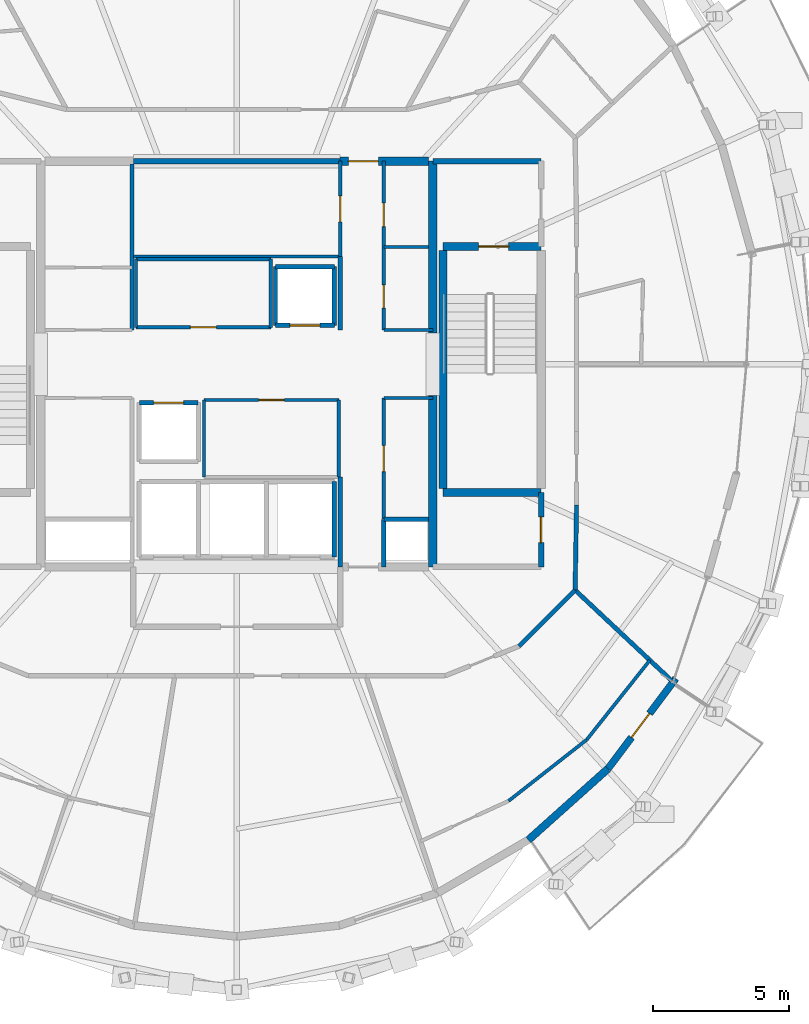
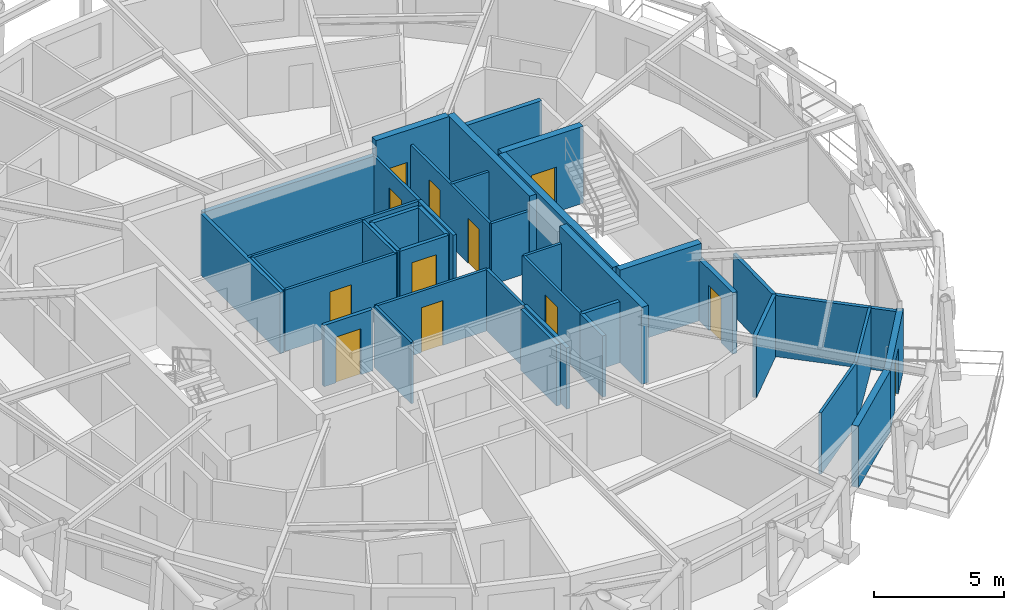
# One storey, part 9 of 12: 41 walls, 12 doors, 12 openings.
"""IFC4 building model written with IfcOpenShell, lengths in metres."""

from ifc_helpers import new_model, si_unit, direction, frame, frame_2d, origin, place, context, subcontext, project, spatial, rectangle, extrude, material, layer, layer_set, type_object, element, fill, save


model = new_model("IFC4")

# Units and contexts
model_context = context("Model", 3, precision=1e-05, world=origin(), true_north=direction((0.0, 1.0)))
body_context = subcontext(model_context, "Body", "Model", "MODEL_VIEW")
ifc_project = project(units=[si_unit("LENGTHUNIT", "METRE"), si_unit("AREAUNIT", "SQUARE_METRE"), si_unit("VOLUMEUNIT", "CUBIC_METRE"), si_unit("PLANEANGLEUNIT", "RADIAN"), si_unit("MASSUNIT", "GRAM", prefix="KILO")], contexts=[model_context])

# Site, building, storey
site_placement = place(None, origin())
site = spatial("IfcSite", under=ifc_project, at=site_placement, CompositionType="ELEMENT")
building_placement = place(site_placement, origin())
building = spatial("IfcBuilding", under=site, at=building_placement, Name="Veldorina Hangang Commons", CompositionType="ELEMENT")
storey_placement = place(building_placement, frame((0.0, 0.0, 272.39990234375)))
storey = spatial("IfcBuildingStorey", under=building, at=storey_placement, Name="L71", CompositionType="ELEMENT", Elevation=272.39990234375)

# Walls
ifc_material_1 = material(Name="Concrete C50/60", Category="concrete")
ifc_layer_1 = layer(ifc_material_1, 0.300048828125)
ifc_layer_set_1 = layer_set([ifc_layer_1], Name="Concrete C50/60")
wall_type_1 = type_object("IfcWallType", Name="CW-RC300-C50", PredefinedType="SHEAR", material=ifc_layer_set_1)
for number, where, z_axis, x_axis, name in (
    (1, (39.199951171875, 16.550048828125, 0.0), (0.0, 0.0, 1.0), (0.0, 1.0, 0.0), "L71 E south core shear wall"),
    (2, (39.199951171875, 25.14990234375, 0.0), (0.0, 0.0, 1.0), (0.0, 1.0, 0.0), "L71 E north core shear wall"),
):
    element("IfcWall", number, at=place(storey_placement, frame(where, z_axis=z_axis, x_axis=x_axis)), inside=storey, type_object=wall_type_1, Name=name, PredefinedType="SHEAR", context=body_context, shape_type="SweptSolid", body=[
        extrude(rectangle(XDim=6.300048828125, YDim=0.300048828125, at=frame_2d((3.14990234375, 0.0))), origin(), (0.0, 0.0, 1.0), 3.60009765625),
    ])

# Wall, opening, door
wall_1_placement = place(storey_placement, frame((35.800048828125, 31.449951171875, 0.0), z_axis=(0.0, 0.0, 1.0), x_axis=(1.0, 0.0, 0.0)))
wall_1 = element("IfcWall", 3, at=wall_1_placement, inside=storey, type_object=wall_type_1, Name="L71 north-east core shear wall", PredefinedType="SHEAR", context=body_context, shape_type="SweptSolid", body=[
    extrude(rectangle(XDim=3.25, YDim=0.300048828125, at=frame_2d((1.625, 0.0))), origin(), (0.0, 0.0, 1.0), 3.60009765625),
])
opening_1_placement = place(wall_1_placement, frame((0.300048828125, 0.0, 0.0)))
opening_1 = element("IfcOpeningElement", 4, at=opening_1_placement, cuts=wall_1, Name="Opening D-08", PredefinedType="OPENING", context=body_context, shape_type="SweptSolid", body=[
    extrude(rectangle(XDim=1.10009765625, YDim=2.10009765625, at=frame_2d((0.550048828125, 1.050048828125))), frame((0.0, 0.16015625, 0.0), z_axis=(0.0, -1.0, 0.0), x_axis=(1.0, 0.0, 0.0)), (0.0, 0.0, 1.0), 0.320068359375),
])
ifc_material_2 = material(Name="Steel Fire-Rated Smoke Seal", Category="steel")
door_type_1 = type_object("IfcDoorType", Name="DR-FIRE-1100", OperationType="SINGLE_SWING_RIGHT", PredefinedType="DOOR", material=ifc_material_2)
door_1_placement = place(opening_1_placement, origin())
door_1 = element("IfcDoor", 5, at=door_1_placement, inside=storey, type_object=door_type_1, Name="L71 central lift lobby north corridor door", OperationType="SINGLE_SWING_LEFT", OverallHeight=2.10009765625, OverallWidth=1.10009765625, PredefinedType="DOOR", context=body_context, shape_type="SweptSolid", body=[
    extrude(rectangle(XDim=1.10009765625, YDim=2.10009765625, at=frame_2d((0.550048828125, 1.050048828125))), frame((0.0, 0.02490234375, 0.0), z_axis=(0.0, -1.0, 0.0), x_axis=(1.0, 0.0, 0.0)), (0.0, 0.0, 1.0), 0.050048828125),
])
fill(opening_1, door_1)

ifc_material_3 = material(Name="Stone Roman Travertine", Category="masonry")
ifc_layer_2 = layer(ifc_material_3, 0.260009765625)
ifc_layer_set_2 = layer_set([ifc_layer_2], Name="Stone Roman Travertine")
wall_type_2 = type_object("IfcWallType", Name="EW-LOGGIA-260", PredefinedType="STANDARD", material=ifc_layer_set_2)
wall_2_placement = place(storey_placement, frame((45.63037109375, 9.13330078125, 0.0), z_axis=(0.0, 0.0, 1.0), x_axis=(0.601260236699, 0.799053269666, 0.0)))
wall_2 = element("IfcWall", 6, at=wall_2_placement, inside=storey, type_object=wall_type_2, Name="L71 sky-garden loggia portal wall 28", PredefinedType="STANDARD", context=body_context, shape_type="SweptSolid", body=[
    extrude(rectangle(XDim=4.151123046875, YDim=0.260009765625, at=frame_2d((2.07568359375, 0.0))), origin(), (0.0, 0.0, 1.0), 2.880126953125),
])
opening_2_placement = place(wall_2_placement, frame((1.443603515625, 0.0, 0.0)))
opening_2 = element("IfcOpeningElement", 7, at=opening_2_placement, cuts=wall_2, Name="Opening BD-1100", PredefinedType="OPENING", context=body_context, shape_type="SweptSolid", body=[
    extrude(rectangle(XDim=1.10009765625, YDim=2.14990234375, at=frame_2d((0.550048828125, 1.074951171875))), frame((0.0, 0.14013671875, 0.0), z_axis=(0.0, -1.0, 0.0), x_axis=(1.0, 0.0, 0.0)), (0.0, 0.0, 1.0), 0.280029296875),
])
ifc_material_4 = material(Name="Glass Thermal Aluminium Frame", Category="aluminium")
door_type_2 = type_object("IfcDoorType", Name="DR-EXT-BAL1100", OperationType="SINGLE_SWING_RIGHT", PredefinedType="DOOR", material=ifc_material_4)
door_2_placement = place(opening_2_placement, origin())
door_2 = element("IfcDoor", 8, at=door_2_placement, inside=storey, type_object=door_type_2, Name="L71 tree balcony glazed exterior door 28", OperationType="SINGLE_SWING_LEFT", OverallHeight=2.14990234375, OverallWidth=1.10009765625, PredefinedType="DOOR", context=body_context, shape_type="SweptSolid", body=[
    extrude(rectangle(XDim=1.10009765625, YDim=2.14990234375, at=frame_2d((0.550048828125, 1.074951171875))), frame((0.0, 0.02490234375, 0.0), z_axis=(0.0, -1.0, 0.0), x_axis=(1.0, 0.0, 0.0)), (0.0, 0.0, 1.0), 0.050048828125),
])
fill(opening_2, door_2)

# Walls
ifc_layer_3 = layer(ifc_material_3, 0.280029296875)
ifc_layer_set_3 = layer_set([ifc_layer_3], Name="Stone Roman Travertine")
wall_type_3 = type_object("IfcWallType", Name="EW-TRAV-280", PredefinedType="STANDARD", material=ifc_layer_set_3)
wall_3_placement = place(storey_placement, frame((42.709228515625, 6.5185546875, 0.0), z_axis=(0.0, 0.0, 1.0), x_axis=(0.745102858602, 0.666949570884, 0.0)))
element("IfcWall", 9, at=wall_3_placement, inside=storey, type_object=wall_type_3, Name="L71 travertine facade wall 27", PredefinedType="STANDARD", context=body_context, shape_type="SweptSolid", body=[
    extrude(rectangle(XDim=3.92041015625, YDim=0.280029296875, at=frame_2d((1.960205078125, 0.0))), origin(), (0.0, 0.0, 1.0), 2.880126953125),
])
ifc_layer_4 = layer(ifc_material_1, 0.300048828125)
ifc_layer_set_4 = layer_set([ifc_layer_4], Name="Concrete C50/60")
wall_type_4 = type_object("IfcWallType", Name="SW-STAIR-300", PredefinedType="SHEAR", material=ifc_layer_set_4)
wall_4_placement = place(storey_placement, frame((39.580078125, 19.429931640625, 0.0), z_axis=(0.0, 0.0, 1.0), x_axis=(0.0, 1.0, 0.0)))
element("IfcWall", 10, at=wall_4_placement, inside=storey, type_object=wall_type_4, Name="L71 ST2 inner stair shear wall", PredefinedType="SHEAR", context=body_context, shape_type="SweptSolid", body=[
    extrude(rectangle(XDim=8.739990234375, YDim=0.300048828125, at=frame_2d((4.3701171875, 0.0))), origin(), (0.0, 0.0, 1.0), 3.60009765625),
])
wall_5_placement = place(storey_placement, frame((39.580078125, 19.280029296875, 0.0), z_axis=(0.0, 0.0, 1.0), x_axis=(1.0, 0.0, 0.0)))
element("IfcWall", 11, at=wall_5_placement, inside=storey, type_object=wall_type_4, Name="L71 ST2 south stair shear wall", PredefinedType="SHEAR", context=body_context, shape_type="SweptSolid", body=[
    extrude(rectangle(XDim=3.599853515625, YDim=0.300048828125, at=frame_2d((1.7998046875, 0.0))), origin(), (0.0, 0.0, 1.0), 3.60009765625),
])

# Wall, opening, door
wall_6_placement = place(storey_placement, frame((39.580078125, 28.320068359375, 0.0), z_axis=(0.0, 0.0, 1.0), x_axis=(1.0, 0.0, 0.0)))
wall_6 = element("IfcWall", 12, at=wall_6_placement, inside=storey, type_object=wall_type_4, Name="L71 ST2 north stair shear wall", PredefinedType="SHEAR", context=body_context, shape_type="SweptSolid", body=[
    extrude(rectangle(XDim=3.599853515625, YDim=0.300048828125, at=frame_2d((1.7998046875, 0.0))), origin(), (0.0, 0.0, 1.0), 3.60009765625),
])
opening_3_placement = place(wall_6_placement, frame((1.300048828125, 0.0, 0.0)))
opening_3 = element("IfcOpeningElement", 13, at=opening_3_placement, cuts=wall_6, Name="Opening D-08", PredefinedType="OPENING", context=body_context, shape_type="SweptSolid", body=[
    extrude(rectangle(XDim=1.10009765625, YDim=2.10009765625, at=frame_2d((0.550048828125, 1.050048828125))), frame((0.0, 0.16015625, 0.0), z_axis=(0.0, -1.0, 0.0), x_axis=(1.0, 0.0, 0.0)), (0.0, 0.0, 1.0), 0.320068359375),
])
door_3_placement = place(opening_3_placement, origin())
door_3 = element("IfcDoor", 14, at=door_3_placement, inside=storey, type_object=door_type_1, Name="L71 Special Escape Stair ST-2 door", OperationType="SINGLE_SWING_RIGHT", OverallHeight=2.10009765625, OverallWidth=1.10009765625, PredefinedType="DOOR", context=body_context, shape_type="SweptSolid", body=[
    extrude(rectangle(XDim=1.10009765625, YDim=2.10009765625, at=frame_2d((0.550048828125, 1.050048828125))), frame((0.0, 0.02490234375, 0.0), z_axis=(0.0, -1.0, 0.0), x_axis=(1.0, 0.0, 0.0)), (0.0, 0.0, 1.0), 0.050048828125),
])
fill(opening_3, door_3)

# Walls
ifc_material_5 = material(Name="Gypsum Fire-Rated Twin Stud Wall", Category="gypsum")
ifc_layer_5 = layer(ifc_material_5, 0.159912109375)
ifc_layer_set_5 = layer_set([ifc_layer_5], Name="Gypsum Fire-Rated Twin Stud Wall")
wall_type_5 = type_object("IfcWallType", Name="WL-FIRE-160", PredefinedType="SOLIDWALL", material=ifc_layer_set_5)
wall_7_placement = place(storey_placement, frame((35.800048828125, 16.550048828125, 0.0), z_axis=(0.0, 0.0, 1.0), x_axis=(0.0, 1.0, 0.0)))
element("IfcWall", 15, at=wall_7_placement, inside=storey, type_object=wall_type_5, Name="L71 Lift passage SW wall 009", PredefinedType="SOLIDWALL", context=body_context, shape_type="SweptSolid", body=[
    extrude(rectangle(XDim=3.300048828125, YDim=0.159912109375, at=frame_2d((1.64990234375, 0.0))), origin(), (0.0, 0.0, 1.0), 2.8701171875),
])
wall_8_placement = place(storey_placement, frame((37.39990234375, 16.550048828125, 0.0), z_axis=(0.0, 0.0, 1.0), x_axis=(0.0, 1.0, 0.0)))
element("IfcWall", 16, at=wall_8_placement, inside=storey, type_object=wall_type_5, Name="L71 Lift passage SE stub 010", PredefinedType="SOLIDWALL", context=body_context, shape_type="SweptSolid", body=[
    extrude(rectangle(XDim=1.75, YDim=0.159912109375, at=frame_2d((0.875, 0.0))), origin(), (0.0, 0.0, 1.0), 2.8701171875),
])
wall_9_placement = place(storey_placement, frame((35.800048828125, 25.25, 0.0), z_axis=(0.0, 0.0, 1.0), x_axis=(0.0, 1.0, 0.0)))
element("IfcWall", 17, at=wall_9_placement, inside=storey, type_object=wall_type_5, Name="L71 Lift passage NW lower wall 011", PredefinedType="SOLIDWALL", context=body_context, shape_type="SweptSolid", body=[
    extrude(rectangle(XDim=2.699951171875, YDim=0.159912109375, at=frame_2d((1.35009765625, 0.0))), origin(), (0.0, 0.0, 1.0), 2.8701171875),
])

# Wall, opening, door
wall_10_placement = place(storey_placement, frame((33.419921875, 25.419921875, 0.0), z_axis=(0.0, 0.0, 1.0), x_axis=(1.0, 0.0, 0.0)))
wall_10 = element("IfcWall", 18, at=wall_10_placement, inside=storey, type_object=wall_type_5, Name="L71 Mid-high front shaft wall 015", PredefinedType="SOLIDWALL", context=body_context, shape_type="SweptSolid", body=[
    extrude(rectangle(XDim=2.16015625, YDim=0.159912109375, at=frame_2d((1.080078125, 0.0))), origin(), (0.0, 0.0, 1.0), 2.8701171875),
])
opening_4_placement = place(wall_10_placement, frame((0.530029296875, 0.0, 0.0)))
opening_4 = element("IfcOpeningElement", 19, at=opening_4_placement, cuts=wall_10, Name="Opening LD-01", PredefinedType="OPENING", context=body_context, shape_type="SweptSolid", body=[
    extrude(rectangle(XDim=1.10009765625, YDim=2.14990234375, at=frame_2d((0.550048828125, 1.074951171875))), frame((0.0, 0.08984375, 0.0), z_axis=(0.0, -1.0, 0.0), x_axis=(1.0, 0.0, 0.0)), (0.0, 0.0, 1.0), 0.179931640625),
])
ifc_material_6 = material(Name="Stainless Steel Brushed Lift Door", Category="steel")
door_type_3 = type_object("IfcDoorType", Name="DR-LIFT-1100", OperationType="SLIDING_TO_LEFT", PredefinedType="DOOR", material=ifc_material_6)
door_4_placement = place(opening_4_placement, origin())
door_4 = element("IfcDoor", 20, at=door_4_placement, inside=storey, type_object=door_type_3, Name="L71 Lift PL-H1 landing door 006", OperationType="SLIDING_TO_RIGHT", OverallHeight=2.14990234375, OverallWidth=1.10009765625, PredefinedType="DOOR", context=body_context, shape_type="SweptSolid", body=[
    extrude(rectangle(XDim=1.10009765625, YDim=2.14990234375, at=frame_2d((0.550048828125, 1.074951171875))), frame((0.0, 0.02490234375, 0.0), z_axis=(0.0, -1.0, 0.0), x_axis=(1.0, 0.0, 0.0)), (0.0, 0.0, 1.0), 0.050048828125),
])
fill(opening_4, door_4)

# Walls
for number, where, z_axis, x_axis, name in (
    (21, (33.419921875, 27.580078125, 0.0), (0.0, 0.0, 1.0), (1.0, 0.0, 0.0), "L71 Mid-high rear shaft wall 016"),
    (22, (33.419921875, 25.419921875, 0.0), (0.0, 0.0, 1.0), (0.0, 1.0, 0.0), "L71 PL-H1 west shaft wall 017"),
    (23, (35.580078125, 25.419921875, 0.0), (0.0, 0.0, 1.0), (0.0, 1.0, 0.0), "L71 PL-H1 east shaft wall 018"),
):
    element("IfcWall", number, at=place(storey_placement, frame(where, z_axis=z_axis, x_axis=x_axis)), inside=storey, type_object=wall_type_5, Name=name, PredefinedType="SOLIDWALL", context=body_context, shape_type="SweptSolid", body=[
        extrude(rectangle(XDim=2.16015625, YDim=0.159912109375, at=frame_2d((1.080078125, 0.0))), origin(), (0.0, 0.0, 1.0), 2.8701171875),
    ])

# Wall, opening, door
wall_11_placement = place(storey_placement, frame((28.419921875, 22.580078125, 0.0), z_axis=(0.0, 0.0, 1.0), x_axis=(1.0, 0.0, 0.0)))
wall_11 = element("IfcWall", 24, at=wall_11_placement, inside=storey, type_object=wall_type_5, Name="L71 Shuttle-high front shaft wall 019", PredefinedType="SOLIDWALL", context=body_context, shape_type="SweptSolid", body=[
    extrude(rectangle(XDim=2.16015625, YDim=0.159912109375, at=frame_2d((1.080078125, 0.0))), origin(), (0.0, 0.0, 1.0), 2.8701171875),
])
opening_5_placement = place(wall_11_placement, frame((0.530029296875, 0.0, 0.0)))
opening_5 = element("IfcOpeningElement", 25, at=opening_5_placement, cuts=wall_11, Name="Opening LD-01", PredefinedType="OPENING", context=body_context, shape_type="SweptSolid", body=[
    extrude(rectangle(XDim=1.10009765625, YDim=2.14990234375, at=frame_2d((0.550048828125, 1.074951171875))), frame((0.0, 0.08984375, 0.0), z_axis=(0.0, -1.0, 0.0), x_axis=(1.0, 0.0, 0.0)), (0.0, 0.0, 1.0), 0.179931640625),
])
door_5_placement = place(opening_5_placement, origin())
door_5 = element("IfcDoor", 26, at=door_5_placement, inside=storey, type_object=door_type_3, Name="L71 Lift PL-H2 landing door 007", OperationType="SLIDING_TO_LEFT", OverallHeight=2.14990234375, OverallWidth=1.10009765625, PredefinedType="DOOR", context=body_context, shape_type="SweptSolid", body=[
    extrude(rectangle(XDim=1.10009765625, YDim=2.14990234375, at=frame_2d((0.550048828125, 1.074951171875))), frame((0.0, 0.02490234375, 0.0), z_axis=(0.0, -1.0, 0.0), x_axis=(1.0, 0.0, 0.0)), (0.0, 0.0, 1.0), 0.050048828125),
])
fill(opening_5, door_5)

# Walls
wall_12_placement = place(storey_placement, frame((35.580078125, 16.919921875, 0.0), z_axis=(0.0, 0.0, 1.0), x_axis=(0.0, 1.0, 0.0)))
element("IfcWall", 27, at=wall_12_placement, inside=storey, type_object=wall_type_5, Name="L71 EVL-1 east shaft wall 028", PredefinedType="SOLIDWALL", context=body_context, shape_type="SweptSolid", body=[
    extrude(rectangle(XDim=2.760009765625, YDim=0.159912109375, at=frame_2d((1.3798828125, 0.0))), origin(), (0.0, 0.0, 1.0), 2.8701171875),
])
wall_13_placement = place(storey_placement, frame((37.39990234375, 18.300048828125, 0.0), z_axis=(0.0, 0.0, 1.0), x_axis=(1.0, 0.0, 0.0)))
element("IfcWall", 28, at=wall_13_placement, inside=storey, type_object=wall_type_5, Name="L71 Plumbing riser wall 042", PredefinedType="SOLIDWALL", context=body_context, shape_type="SweptSolid", body=[
    extrude(rectangle(XDim=1.650146484375, YDim=0.159912109375, at=frame_2d((0.8251953125, 0.0))), origin(), (0.0, 0.0, 1.0), 2.8701171875),
])
wall_14_placement = place(storey_placement, frame((28.14990234375, 25.25, 0.0), z_axis=(0.0, 0.0, 1.0), x_axis=(0.0, 1.0, 0.0)))
element("IfcWall", 29, at=wall_14_placement, inside=storey, type_object=wall_type_5, Name="L71 NW core inner wall 043", PredefinedType="SOLIDWALL", context=body_context, shape_type="SweptSolid", body=[
    extrude(rectangle(XDim=6.10009765625, YDim=0.159912109375, at=frame_2d((3.050048828125, 0.0))), origin(), (0.0, 0.0, 1.0), 2.8701171875),
])
wall_15_placement = place(storey_placement, frame((42.364990234375, 13.635009765625, 0.0), z_axis=(0.0, 0.0, 1.0), x_axis=(0.707106781187, 0.707106781187, 0.0)))
element("IfcWall", 30, at=wall_15_placement, inside=storey, type_object=wall_type_5, Name="L71 Compact collar outer wall 28 080", PredefinedType="SOLIDWALL", context=body_context, shape_type="SweptSolid", body=[
    extrude(rectangle(XDim=2.915771484375, YDim=0.159912109375, at=frame_2d((1.4580078125, 0.0))), origin(), (0.0, 0.0, 1.0), 2.8701171875),
])
wall_16_placement = place(storey_placement, frame((44.4267578125, 15.69677734375, 0.0), z_axis=(0.0, 0.0, 1.0), x_axis=(0.016981035134, 0.999855811828, 0.0)))
element("IfcWall", 31, at=wall_16_placement, inside=storey, type_object=wall_type_5, Name="L71 Compact collar outer wall 29 081", PredefinedType="SOLIDWALL", context=body_context, shape_type="SweptSolid", body=[
    extrude(rectangle(XDim=3.13427734375, YDim=0.159912109375, at=frame_2d((1.567138671875, 0.0))), origin(), (0.0, 0.0, 1.0), 2.8701171875),
])
wall_17_placement = place(storey_placement, frame((44.4267578125, 15.69677734375, 0.0), z_axis=(0.0, 0.0, 1.0), x_axis=(0.729375160309, -0.684113934608, 0.0)))
element("IfcWall", 32, at=wall_17_placement, inside=storey, type_object=wall_type_5, Name="L71 Unit party wall 29 084", PredefinedType="SOLIDWALL", context=body_context, shape_type="SweptSolid", body=[
    extrude(rectangle(XDim=4.886962890625, YDim=0.159912109375, at=frame_2d((2.443359375, 0.0))), origin(), (0.0, 0.0, 1.0), 2.8701171875),
])
ifc_material_7 = material(Name="Concrete Blockwork Fire Wall C30/37", Category="masonry")
ifc_layer_6 = layer(ifc_material_7, 0.199951171875)
ifc_layer_set_6 = layer_set([ifc_layer_6], Name="Concrete Blockwork Fire Wall C30/37")
wall_type_6 = type_object("IfcWallType", Name="WL-FIRE-200", PredefinedType="SOLIDWALL", material=ifc_layer_set_6)
wall_18_placement = place(storey_placement, frame((39.199951171875, 31.449951171875, 0.0), z_axis=(0.0, 0.0, 1.0), x_axis=(1.0, 0.0, 0.0)))
element("IfcWall", 33, at=wall_18_placement, inside=storey, type_object=wall_type_6, Name="L71 East vestibule north wall 004", PredefinedType="SOLIDWALL", context=body_context, shape_type="SweptSolid", body=[
    extrude(rectangle(XDim=3.97998046875, YDim=0.199951171875, at=frame_2d((1.989990234375, 0.0))), origin(), (0.0, 0.0, 1.0), 2.8701171875),
])

# Wall, opening, door
wall_19_placement = place(storey_placement, frame((43.179931640625, 16.550048828125, 0.0), z_axis=(0.0, 0.0, 1.0), x_axis=(0.0, 1.0, 0.0)))
wall_19 = element("IfcWall", 34, at=wall_19_placement, inside=storey, type_object=wall_type_6, Name="L71 SE core room outer wall 007", PredefinedType="SOLIDWALL", context=body_context, shape_type="SweptSolid", body=[
    extrude(rectangle(XDim=2.72998046875, YDim=0.199951171875, at=frame_2d((1.364990234375, 0.0))), origin(), (0.0, 0.0, 1.0), 2.8701171875),
])
opening_6_placement = place(wall_19_placement, frame((0.889892578125, 0.0, 0.0)))
opening_6 = element("IfcOpeningElement", 35, at=opening_6_placement, cuts=wall_19, Name="Opening D-02", PredefinedType="OPENING", context=body_context, shape_type="SweptSolid", body=[
    extrude(rectangle(XDim=0.949951171875, YDim=2.10009765625, at=frame_2d((0.47509765625, 1.050048828125))), frame((0.0, 0.10986328125, 0.0), z_axis=(0.0, -1.0, 0.0), x_axis=(1.0, 0.0, 0.0)), (0.0, 0.0, 1.0), 0.219970703125),
])
ifc_material_8 = material(Name="Timber Solid Core Acoustic", Category="wood")
door_type_4 = type_object("IfcDoorType", Name="DR-INT-950", OperationType="SINGLE_SWING_LEFT", PredefinedType="DOOR", material=ifc_material_8)
door_6_placement = place(opening_6_placement, origin())
door_6 = element("IfcDoor", 36, at=door_6_placement, inside=storey, type_object=door_type_4, Name="L71 SE core WC door 004", OperationType="SINGLE_SWING_RIGHT", OverallHeight=2.10009765625, OverallWidth=0.949951171875, PredefinedType="DOOR", context=body_context, shape_type="SweptSolid", body=[
    extrude(rectangle(XDim=0.949951171875, YDim=2.10009765625, at=frame_2d((0.47509765625, 1.050048828125))), frame((0.0, 0.02490234375, 0.0), z_axis=(0.0, -1.0, 0.0), x_axis=(1.0, 0.0, 0.0)), (0.0, 0.0, 1.0), 0.050048828125),
])
fill(opening_6, door_6)

# Walls
wall_20_placement = place(storey_placement, frame((28.199951171875, 31.449951171875, 0.0), z_axis=(0.0, 0.0, 1.0), x_axis=(1.0, 0.0, 0.0)))
element("IfcWall", 37, at=wall_20_placement, inside=storey, type_object=wall_type_6, Name="L71 Merged north core wall 029", PredefinedType="SOLIDWALL", context=body_context, shape_type="SweptSolid", body=[
    extrude(rectangle(XDim=7.60009765625, YDim=0.199951171875, at=frame_2d((3.800048828125, 0.0))), origin(), (0.0, 0.0, 1.0), 2.8701171875),
])
ifc_material_9 = material(Name="Gypsum Acoustic Stud Partition", Category="gypsum")
ifc_layer_7 = layer(ifc_material_9, 0.1201171875)
ifc_layer_set_7 = layer_set([ifc_layer_7], Name="Gypsum Acoustic Stud Partition")
wall_type_7 = type_object("IfcWallType", Name="WL-PART-120", PredefinedType="PARTITIONING", material=ifc_layer_set_7)
wall_21_placement = place(storey_placement, frame((28.199951171875, 27.949951171875, 0.0), z_axis=(0.0, 0.0, 1.0), x_axis=(1.0, 0.0, 0.0)))
element("IfcWall", 38, at=wall_21_placement, inside=storey, type_object=wall_type_7, Name="L71 Merged north south wall 030", PredefinedType="PARTITIONING", context=body_context, shape_type="SweptSolid", body=[
    extrude(rectangle(XDim=7.60009765625, YDim=0.1201171875, at=frame_2d((3.800048828125, 0.0))), origin(), (0.0, 0.0, 1.0), 2.8701171875),
])

# Wall, opening, door
wall_22_placement = place(storey_placement, frame((35.800048828125, 27.949951171875, 0.0), z_axis=(0.0, 0.0, 1.0), x_axis=(0.0, 1.0, 0.0)))
wall_22 = element("IfcWall", 39, at=wall_22_placement, inside=storey, type_object=wall_type_7, Name="L71 Merged north east wall 031", PredefinedType="PARTITIONING", context=body_context, shape_type="SweptSolid", body=[
    extrude(rectangle(XDim=3.5, YDim=0.1201171875, at=frame_2d((1.75, 0.0))), origin(), (0.0, 0.0, 1.0), 2.8701171875),
])
opening_7_placement = place(wall_22_placement, frame((1.27490234375, 0.0, 0.0)))
opening_7 = element("IfcOpeningElement", 40, at=opening_7_placement, cuts=wall_22, Name="Opening D-02", PredefinedType="OPENING", context=body_context, shape_type="SweptSolid", body=[
    extrude(rectangle(XDim=0.949951171875, YDim=2.10009765625, at=frame_2d((0.47509765625, 1.050048828125))), frame((0.0, 0.070068359375, 0.0), z_axis=(0.0, -1.0, 0.0), x_axis=(1.0, 0.0, 0.0)), (0.0, 0.0, 1.0), 0.14013671875),
])
door_7_placement = place(opening_7_placement, origin())
door_7 = element("IfcDoor", 41, at=door_7_placement, inside=storey, type_object=door_type_4, Name="L71 Merged north room lobby door 011", OperationType="SINGLE_SWING_LEFT", OverallHeight=2.10009765625, OverallWidth=0.949951171875, PredefinedType="DOOR", context=body_context, shape_type="SweptSolid", body=[
    extrude(rectangle(XDim=0.949951171875, YDim=2.10009765625, at=frame_2d((0.47509765625, 1.050048828125))), frame((0.0, 0.02490234375, 0.0), z_axis=(0.0, -1.0, 0.0), x_axis=(1.0, 0.0, 0.0)), (0.0, 0.0, 1.0), 0.050048828125),
])
fill(opening_7, door_7)

wall_23_placement = place(storey_placement, frame((28.300048828125, 25.35009765625, 0.0), z_axis=(0.0, 0.0, 1.0), x_axis=(1.0, 0.0, 0.0)))
wall_23 = element("IfcWall", 42, at=wall_23_placement, inside=storey, type_object=wall_type_7, Name="L71 Merged mid-bank south wall 032", PredefinedType="PARTITIONING", context=body_context, shape_type="SweptSolid", body=[
    extrude(rectangle(XDim=4.949951171875, YDim=0.1201171875, at=frame_2d((2.47509765625, 0.0))), origin(), (0.0, 0.0, 1.0), 2.8701171875),
])
opening_8_placement = place(wall_23_placement, frame((2.0, 0.0, 0.0)))
opening_8 = element("IfcOpeningElement", 43, at=opening_8_placement, cuts=wall_23, Name="Opening D-02", PredefinedType="OPENING", context=body_context, shape_type="SweptSolid", body=[
    extrude(rectangle(XDim=0.949951171875, YDim=2.10009765625, at=frame_2d((0.47509765625, 1.050048828125))), frame((0.0, 0.070068359375, 0.0), z_axis=(0.0, -1.0, 0.0), x_axis=(1.0, 0.0, 0.0)), (0.0, 0.0, 1.0), 0.14013671875),
])
door_8_placement = place(opening_8_placement, origin())
door_8 = element("IfcDoor", 44, at=door_8_placement, inside=storey, type_object=door_type_4, Name="L71 Quiet study room door 012", OperationType="SINGLE_SWING_RIGHT", OverallHeight=2.10009765625, OverallWidth=0.949951171875, PredefinedType="DOOR", context=body_context, shape_type="SweptSolid", body=[
    extrude(rectangle(XDim=0.949951171875, YDim=2.10009765625, at=frame_2d((0.47509765625, 1.050048828125))), frame((0.0, 0.02490234375, 0.0), z_axis=(0.0, -1.0, 0.0), x_axis=(1.0, 0.0, 0.0)), (0.0, 0.0, 1.0), 0.050048828125),
])
fill(opening_8, door_8)

# Walls
wall_24_placement = place(storey_placement, frame((28.300048828125, 27.85009765625, 0.0), z_axis=(0.0, 0.0, 1.0), x_axis=(1.0, 0.0, 0.0)))
element("IfcWall", 45, at=wall_24_placement, inside=storey, type_object=wall_type_7, Name="L71 Merged mid-bank north wall 033", PredefinedType="PARTITIONING", context=body_context, shape_type="SweptSolid", body=[
    extrude(rectangle(XDim=4.949951171875, YDim=0.1201171875, at=frame_2d((2.47509765625, 0.0))), origin(), (0.0, 0.0, 1.0), 2.8701171875),
])
for number, where, z_axis, x_axis, name in (
    (46, (28.300048828125, 25.35009765625, 0.0), (0.0, 0.0, 1.0), (0.0, 1.0, 0.0), "L71 Merged mid-bank west wall 034"),
    (47, (33.25, 25.35009765625, 0.0), (0.0, 0.0, 1.0), (0.0, 1.0, 0.0), "L71 Merged mid-bank east wall 035"),
):
    element("IfcWall", number, at=place(storey_placement, frame(where, z_axis=z_axis, x_axis=x_axis)), inside=storey, type_object=wall_type_7, Name=name, PredefinedType="PARTITIONING", context=body_context, shape_type="SweptSolid", body=[
        extrude(rectangle(XDim=2.5, YDim=0.1201171875, at=frame_2d((1.25, 0.0))), origin(), (0.0, 0.0, 1.0), 2.8701171875),
    ])

# Wall, opening, door
wall_25_placement = place(storey_placement, frame((30.800048828125, 22.679931640625, 0.0), z_axis=(0.0, 0.0, 1.0), x_axis=(1.0, 0.0, 0.0)))
wall_25 = element("IfcWall", 48, at=wall_25_placement, inside=storey, type_object=wall_type_7, Name="L71 Merged shuttle north wall 036", PredefinedType="PARTITIONING", context=body_context, shape_type="SweptSolid", body=[
    extrude(rectangle(XDim=4.949951171875, YDim=0.1201171875, at=frame_2d((2.47509765625, 0.0))), origin(), (0.0, 0.0, 1.0), 2.8701171875),
])
opening_9_placement = place(wall_25_placement, frame((2.0, 0.0, 0.0)))
opening_9 = element("IfcOpeningElement", 49, at=opening_9_placement, cuts=wall_25, Name="Opening D-02", PredefinedType="OPENING", context=body_context, shape_type="SweptSolid", body=[
    extrude(rectangle(XDim=0.949951171875, YDim=2.10009765625, at=frame_2d((0.47509765625, 1.050048828125))), frame((0.0, 0.070068359375, 0.0), z_axis=(0.0, -1.0, 0.0), x_axis=(1.0, 0.0, 0.0)), (0.0, 0.0, 1.0), 0.14013671875),
])
door_9_placement = place(opening_9_placement, origin())
door_9 = element("IfcDoor", 50, at=door_9_placement, inside=storey, type_object=door_type_4, Name="L71 Floor tea pantry door 013", OperationType="SINGLE_SWING_LEFT", OverallHeight=2.10009765625, OverallWidth=0.949951171875, PredefinedType="DOOR", context=body_context, shape_type="SweptSolid", body=[
    extrude(rectangle(XDim=0.949951171875, YDim=2.10009765625, at=frame_2d((0.47509765625, 1.050048828125))), frame((0.0, 0.02490234375, 0.0), z_axis=(0.0, -1.0, 0.0), x_axis=(1.0, 0.0, 0.0)), (0.0, 0.0, 1.0), 0.050048828125),
])
fill(opening_9, door_9)

# Walls
for number, where, z_axis, x_axis, name in (
    (51, (30.800048828125, 19.85009765625, 0.0), (0.0, 0.0, 1.0), (0.0, 1.0, 0.0), "L71 Merged shuttle west wall 038"),
    (52, (35.75, 19.85009765625, 0.0), (0.0, 0.0, 1.0), (0.0, 1.0, 0.0), "L71 Merged shuttle east wall 039"),
):
    element("IfcWall", number, at=place(storey_placement, frame(where, z_axis=z_axis, x_axis=x_axis)), inside=storey, type_object=wall_type_7, Name=name, PredefinedType="PARTITIONING", context=body_context, shape_type="SweptSolid", body=[
        extrude(rectangle(XDim=2.829833984375, YDim=0.1201171875, at=frame_2d((1.4150390625, 0.0))), origin(), (0.0, 0.0, 1.0), 2.8701171875),
    ])

# Wall, openings, doors
wall_26_placement = place(storey_placement, frame((37.39990234375, 25.25, 0.0), z_axis=(0.0, 0.0, 1.0), x_axis=(0.0, 1.0, 0.0)))
wall_26 = element("IfcWall", 53, at=wall_26_placement, inside=storey, type_object=wall_type_7, Name="L71 NE strip lobby wall 046", PredefinedType="PARTITIONING", context=body_context, shape_type="SweptSolid", body=[
    extrude(rectangle(XDim=6.199951171875, YDim=0.1201171875, at=frame_2d((3.10009765625, 0.0))), origin(), (0.0, 0.0, 1.0), 2.8701171875),
])
opening_10_placement = place(wall_26_placement, frame((0.800048828125, 0.0, 0.0)))
opening_10 = element("IfcOpeningElement", 54, at=opening_10_placement, cuts=wall_26, Name="Opening D-01", PredefinedType="OPENING", context=body_context, shape_type="SweptSolid", body=[
    extrude(rectangle(XDim=0.860107421875, YDim=2.10009765625, at=frame_2d((0.43017578125, 1.050048828125))), frame((0.0, 0.070068359375, 0.0), z_axis=(0.0, -1.0, 0.0), x_axis=(1.0, 0.0, 0.0)), (0.0, 0.0, 1.0), 0.14013671875),
])
opening_11_placement = place(wall_26_placement, frame((3.800048828125, 0.0, 0.0)))
opening_11 = element("IfcOpeningElement", 55, at=opening_11_placement, cuts=wall_26, Name="Opening D-01", PredefinedType="OPENING", context=body_context, shape_type="SweptSolid", body=[
    extrude(rectangle(XDim=0.860107421875, YDim=2.10009765625, at=frame_2d((0.43017578125, 1.050048828125))), frame((0.0, 0.070068359375, 0.0), z_axis=(0.0, -1.0, 0.0), x_axis=(1.0, 0.0, 0.0)), (0.0, 0.0, 1.0), 0.14013671875),
])
ifc_material_10 = material(Name="Timber Moisture-Resistant Core", Category="wood")
door_type_5 = type_object("IfcDoorType", Name="DR-WET-860", OperationType="SINGLE_SWING_LEFT", PredefinedType="DOOR", material=ifc_material_10)
door_10_placement = place(opening_10_placement, origin())
door_10 = element("IfcDoor", 56, at=door_10_placement, inside=storey, type_object=door_type_5, Name="L71 Electrical closet door 017", OperationType="SINGLE_SWING_LEFT", OverallHeight=2.10009765625, OverallWidth=0.860107421875, PredefinedType="DOOR", context=body_context, shape_type="SweptSolid", body=[
    extrude(rectangle(XDim=0.860107421875, YDim=2.10009765625, at=frame_2d((0.43017578125, 1.050048828125))), frame((0.0, 0.02490234375, 0.0), z_axis=(0.0, -1.0, 0.0), x_axis=(1.0, 0.0, 0.0)), (0.0, 0.0, 1.0), 0.050048828125),
])
fill(opening_10, door_10)
door_11_placement = place(opening_11_placement, origin())
door_11 = element("IfcDoor", 57, at=door_11_placement, inside=storey, type_object=door_type_5, Name="L71 IT closet door 018", OperationType="SINGLE_SWING_RIGHT", OverallHeight=2.10009765625, OverallWidth=0.860107421875, PredefinedType="DOOR", context=body_context, shape_type="SweptSolid", body=[
    extrude(rectangle(XDim=0.860107421875, YDim=2.10009765625, at=frame_2d((0.43017578125, 1.050048828125))), frame((0.0, 0.02490234375, 0.0), z_axis=(0.0, -1.0, 0.0), x_axis=(1.0, 0.0, 0.0)), (0.0, 0.0, 1.0), 0.050048828125),
])
fill(opening_11, door_11)

# Wall
wall_27_placement = place(storey_placement, frame((37.39990234375, 25.25, 0.0), z_axis=(0.0, 0.0, 1.0), x_axis=(1.0, 0.0, 0.0)))
element("IfcWall", 58, at=wall_27_placement, inside=storey, type_object=wall_type_7, Name="L71 NE strip south return wall 047", PredefinedType="PARTITIONING", context=body_context, shape_type="SweptSolid", body=[
    extrude(rectangle(XDim=1.800048828125, YDim=0.1201171875, at=frame_2d((0.89990234375, 0.0))), origin(), (0.0, 0.0, 1.0), 2.8701171875),
])

# Wall, opening, door
wall_28_placement = place(storey_placement, frame((37.39990234375, 18.300048828125, 0.0), z_axis=(0.0, 0.0, 1.0), x_axis=(0.0, 1.0, 0.0)))
wall_28 = element("IfcWall", 59, at=wall_28_placement, inside=storey, type_object=wall_type_7, Name="L71 SE strip lobby wall 048", PredefinedType="PARTITIONING", context=body_context, shape_type="SweptSolid", body=[
    extrude(rectangle(XDim=4.449951171875, YDim=0.1201171875, at=frame_2d((2.22509765625, 0.0))), origin(), (0.0, 0.0, 1.0), 2.8701171875),
])
opening_12_placement = place(wall_28_placement, frame((1.75, 0.0, 0.0)))
opening_12 = element("IfcOpeningElement", 60, at=opening_12_placement, cuts=wall_28, Name="Opening D-02", PredefinedType="OPENING", context=body_context, shape_type="SweptSolid", body=[
    extrude(rectangle(XDim=0.949951171875, YDim=2.10009765625, at=frame_2d((0.47509765625, 1.050048828125))), frame((0.0, 0.070068359375, 0.0), z_axis=(0.0, -1.0, 0.0), x_axis=(1.0, 0.0, 0.0)), (0.0, 0.0, 1.0), 0.14013671875),
])
door_12_placement = place(opening_12_placement, origin())
door_12 = element("IfcDoor", 61, at=door_12_placement, inside=storey, type_object=door_type_4, Name="L71 Cleaners supply door 019", OperationType="SINGLE_SWING_LEFT", OverallHeight=2.10009765625, OverallWidth=0.949951171875, PredefinedType="DOOR", context=body_context, shape_type="SweptSolid", body=[
    extrude(rectangle(XDim=0.949951171875, YDim=2.10009765625, at=frame_2d((0.47509765625, 1.050048828125))), frame((0.0, 0.02490234375, 0.0), z_axis=(0.0, -1.0, 0.0), x_axis=(1.0, 0.0, 0.0)), (0.0, 0.0, 1.0), 0.050048828125),
])
fill(opening_12, door_12)

# Walls
wall_29_placement = place(storey_placement, frame((37.39990234375, 22.75, 0.0), z_axis=(0.0, 0.0, 1.0), x_axis=(1.0, 0.0, 0.0)))
element("IfcWall", 62, at=wall_29_placement, inside=storey, type_object=wall_type_7, Name="L71 SE strip north return wall 049", PredefinedType="PARTITIONING", context=body_context, shape_type="SweptSolid", body=[
    extrude(rectangle(XDim=1.800048828125, YDim=0.1201171875, at=frame_2d((0.89990234375, 0.0))), origin(), (0.0, 0.0, 1.0), 2.8701171875),
])
wall_30_placement = place(storey_placement, frame((37.39990234375, 28.300048828125, 0.0), z_axis=(0.0, 0.0, 1.0), x_axis=(1.0, 0.0, 0.0)))
element("IfcWall", 63, at=wall_30_placement, inside=storey, type_object=wall_type_7, Name="L71 NE mid wall 051", PredefinedType="PARTITIONING", context=body_context, shape_type="SweptSolid", body=[
    extrude(rectangle(XDim=1.650146484375, YDim=0.1201171875, at=frame_2d((0.8251953125, 0.0))), origin(), (0.0, 0.0, 1.0), 2.8701171875),
])
wall_31_placement = place(storey_placement, frame((41.982177734375, 7.952392578125, 0.0), z_axis=(0.0, 0.0, 1.0), x_axis=(0.787044501216, 0.616896225556, 0.0)))
element("IfcWall", 64, at=wall_31_placement, inside=storey, type_object=wall_type_7, Name="L71 Laundry split 1 124", PredefinedType="PARTITIONING", context=body_context, shape_type="SweptSolid", body=[
    extrude(rectangle(XDim=3.64892578125, YDim=0.1201171875, at=frame_2d((1.824462890625, 0.0))), origin(), (0.0, 0.0, 1.0), 2.8701171875),
])
wall_32_placement = place(storey_placement, frame((44.85400390625, 10.203369140625, 0.0), z_axis=(0.0, 0.0, 1.0), x_axis=(0.621854967509, 0.783132427744, 0.0)))
element("IfcWall", 65, at=wall_32_placement, inside=storey, type_object=wall_type_7, Name="L71 Laundry split 2 125", PredefinedType="PARTITIONING", context=body_context, shape_type="SweptSolid", body=[
    extrude(rectangle(XDim=3.72705078125, YDim=0.1201171875, at=frame_2d((1.863525390625, 0.0))), origin(), (0.0, 0.0, 1.0), 2.8701171875),
])

save(model, "model.ifc")
